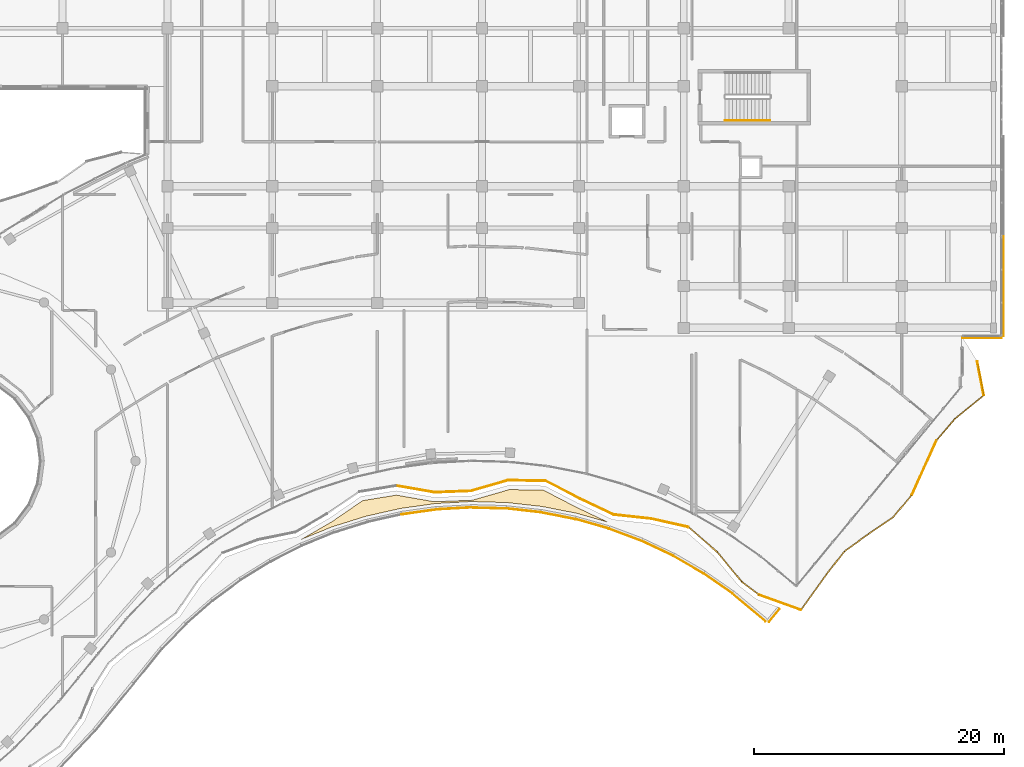
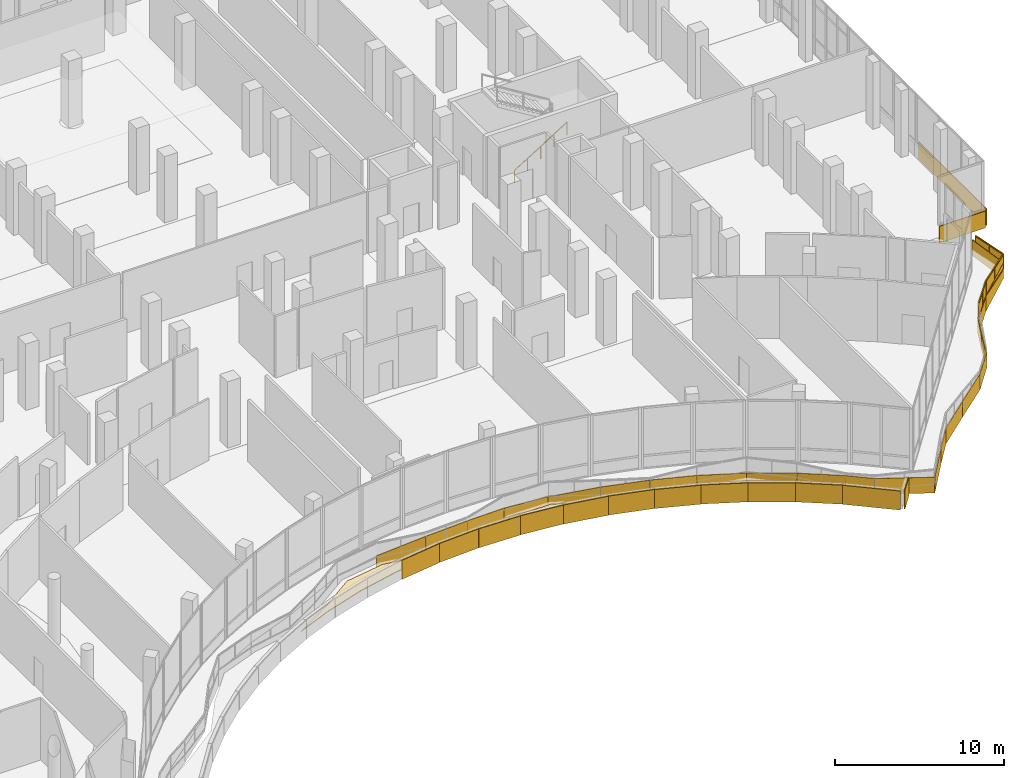
# One storey, part 166 of 168: 37 coverings, 2 railings.
"""IFC4 building model written with IfcOpenShell, lengths in metres."""

from ifc_helpers import new_model, si_unit, direction, frame, origin, origin_2d, place, context, subcontext, project, spatial, polyline, rectangle, circle, outline, extrude, material, layer, layer_set, type_object, element, save


model = new_model("IFC4")

# Units and contexts
model_context = context("Model", 3, precision=1e-05, world=origin(), true_north=direction((0.0, 1.0)))
body_context = subcontext(model_context, "Body", "Model", "MODEL_VIEW")
ifc_project = project(units=[si_unit("LENGTHUNIT", "METRE"), si_unit("AREAUNIT", "SQUARE_METRE"), si_unit("VOLUMEUNIT", "CUBIC_METRE"), si_unit("PLANEANGLEUNIT", "RADIAN"), si_unit("MASSUNIT", "GRAM", prefix="KILO")], contexts=[model_context])

# Site, building, storey
site_placement = place(None, origin())
site = spatial("IfcSite", under=ifc_project, at=site_placement, CompositionType="ELEMENT")
building_placement = place(site_placement, origin())
building = spatial("IfcBuilding", under=site, at=building_placement, Name="Selatvlak General Hospital", CompositionType="ELEMENT")
storey_placement = place(building_placement, frame((0.0, 0.0, 5.39990234375)))
storey = spatial("IfcBuildingStorey", under=building, at=storey_placement, Name="L01", CompositionType="ELEMENT", Elevation=5.39990234375)

# Coverings
ifc_material_1 = material(Name="PVDF aluminium fascia - ochre yellow", Category="aluminium")
ifc_layer_1 = layer(ifc_material_1, 0.070068359375, Name="PVDF aluminium fascia - ochre yellow", Category="aluminium")
ifc_layer_set_1 = layer_set([ifc_layer_1], Name="PVDF aluminium fascia - ochre yellow")
covering_type_1 = type_object("IfcCoveringType", Name="COV-RB-YEL", PredefinedType="CLADDING", material=ifc_layer_set_1)
covering_1_placement = place(storey_placement, frame((133.531982421875, 52.02001953125, -0.98486328125), z_axis=(0.0, 0.0, 1.0), x_axis=(0.985169612888, -0.171583314579, 0.0)))
element("IfcCovering", 1, at=covering_1_placement, inside=storey, type_object=covering_type_1, Name="L01 De Stijl waving fascia streamer 162", PredefinedType="CLADDING", context=body_context, shape_type="SweptSolid", body=[
    extrude(outline(polyline([(0.0, 0.0), (3.106201171875, 0.660888671875), (3.106201171875, 1.80078125), (0.0, 1.139892578125), (0.0, 0.0)])), frame((0.0, 0.03515625, 0.0), z_axis=(0.0, -1.0, 0.0), x_axis=(1.0, 0.0, 0.0)), (0.0, 0.0, 1.0), 0.070068359375),
])
covering_2_placement = place(storey_placement, frame((136.593017578125, 51.487060546875, -0.323974609375), z_axis=(0.0, 0.0, 1.0), x_axis=(0.999287569279, 0.037740613191, 0.0)))
element("IfcCovering", 2, at=covering_2_placement, inside=storey, type_object=covering_type_1, Name="L01 De Stijl waving fascia streamer 163", PredefinedType="CLADDING", context=body_context, shape_type="SweptSolid", body=[
    extrude(outline(polyline([(0.0, 0.0), (2.910888671875, 0.0361328125), (2.910888671875, 1.176025390625), (0.0, 1.139892578125), (0.0, 0.0)])), frame((0.0, 0.03515625, 0.0), z_axis=(0.0, -1.0, 0.0), x_axis=(1.0, 0.0, 0.0)), (0.0, 0.0, 1.0), 0.070068359375),
])
covering_3_placement = place(storey_placement, frame((139.5029296875, 51.596923828125, -0.287841796875), z_axis=(0.0, 0.0, 1.0), x_axis=(0.960959885264, 0.276687728158, 0.0)))
element("IfcCovering", 3, at=covering_3_placement, inside=storey, type_object=covering_type_1, Name="L01 De Stijl waving fascia streamer 164", PredefinedType="CLADDING", context=body_context, shape_type="SweptSolid", body=[
    extrude(outline(polyline([(0.0, 0.0), (3.097900390625, -0.652099609375), (3.097900390625, 0.48779296875), (0.0, 1.139892578125), (0.0, 0.0)])), frame((0.0, 0.03515625, 0.0), z_axis=(0.0, -1.0, 0.0), x_axis=(1.0, 0.0, 0.0)), (0.0, 0.0, 1.0), 0.070068359375),
])
covering_4_placement = place(storey_placement, frame((142.48193359375, 52.4541015625, -0.93994140625), z_axis=(0.0, 0.0, 1.0), x_axis=(0.999851304296, -0.017244399013, 0.0)))
element("IfcCovering", 4, at=covering_4_placement, inside=storey, type_object=covering_type_1, Name="L01 De Stijl waving fascia streamer 165", PredefinedType="CLADDING", context=body_context, shape_type="SweptSolid", body=[
    extrude(outline(polyline([(0.0, 0.0), (3.015625, -0.195068359375), (3.015625, 0.94482421875), (0.0, 1.139892578125), (0.0, 0.0)])), frame((0.0, 0.03515625, 0.0), z_axis=(0.0, -1.0, 0.0), x_axis=(1.0, 0.0, 0.0)), (0.0, 0.0, 1.0), 0.070068359375),
])
covering_5_placement = place(storey_placement, frame((145.498046875, 52.402099609375, -1.135009765625), z_axis=(0.0, 0.0, 1.0), x_axis=(0.888074740359, -0.459699092382, 0.0)))
element("IfcCovering", 5, at=covering_5_placement, inside=storey, type_object=covering_type_1, Name="L01 De Stijl waving fascia streamer 166", PredefinedType="CLADDING", context=body_context, shape_type="SweptSolid", body=[
    extrude(outline(polyline([(0.0, 0.0), (3.10205078125, 0.605224609375), (3.10205078125, 1.7451171875), (0.0, 1.139892578125), (0.0, 0.0)])), frame((0.0, 0.03515625, 0.0), z_axis=(0.0, -1.0, 0.0), x_axis=(1.0, 0.0, 0.0)), (0.0, 0.0, 1.0), 0.070068359375),
])
covering_6_placement = place(storey_placement, frame((148.25390625, 50.97509765625, -0.52978515625), z_axis=(0.0, 0.0, 1.0), x_axis=(0.903238335423, -0.429139265766, 0.0)))
element("IfcCovering", 6, at=covering_6_placement, inside=storey, type_object=covering_type_1, Name="L01 De Stijl waving fascia streamer 167", PredefinedType="CLADDING", context=body_context, shape_type="SweptSolid", body=[
    extrude(outline(polyline([(0.0, 0.0), (2.95947265625, 0.341796875), (2.95947265625, 1.481689453125), (0.0, 1.139892578125), (0.0, 0.0)])), frame((0.0, 0.03515625, 0.0), z_axis=(0.0, -1.0, 0.0), x_axis=(1.0, 0.0, 0.0)), (0.0, 0.0, 1.0), 0.070068359375),
])
covering_7_placement = place(storey_placement, frame((150.927978515625, 49.705078125, -0.18798828125), z_axis=(0.0, 0.0, 1.0), x_axis=(0.99402565812, -0.109146649052, 0.0)))
element("IfcCovering", 7, at=covering_7_placement, inside=storey, type_object=covering_type_1, Name="L01 De Stijl waving fascia streamer 168", PredefinedType="CLADDING", context=body_context, shape_type="SweptSolid", body=[
    extrude(outline(polyline([(0.0, 0.0), (3.024169921875, -0.52099609375), (3.024169921875, 0.618896484375), (0.0, 1.139892578125), (0.0, 0.0)])), frame((0.0, 0.03515625, 0.0), z_axis=(0.0, -1.0, 0.0), x_axis=(1.0, 0.0, 0.0)), (0.0, 0.0, 1.0), 0.070068359375),
])
covering_8_placement = place(storey_placement, frame((153.93505859375, 49.375, -0.708984375), z_axis=(0.0, 0.0, 1.0), x_axis=(0.975867696387, -0.218362632218, 0.0)))
element("IfcCovering", 8, at=covering_8_placement, inside=storey, type_object=covering_type_1, Name="L01 De Stijl waving fascia streamer 169", PredefinedType="CLADDING", context=body_context, shape_type="SweptSolid", body=[
    extrude(outline(polyline([(0.0, 0.0), (3.06787109375, -0.469970703125), (3.06787109375, 0.669921875), (0.0, 1.139892578125), (0.0, 0.0)])), frame((0.0, 0.03515625, 0.0), z_axis=(0.0, -1.0, 0.0), x_axis=(1.0, 0.0, 0.0)), (0.0, 0.0, 1.0), 0.070068359375),
])
covering_9_placement = place(storey_placement, frame((156.930908203125, 48.7041015625, -1.178955078125), z_axis=(0.0, 0.0, 1.0), x_axis=(0.752888892524, -0.658147639602, 0.0)))
element("IfcCovering", 9, at=covering_9_placement, inside=storey, type_object=covering_type_1, Name="L01 De Stijl waving fascia streamer 170", PredefinedType="CLADDING", context=body_context, shape_type="SweptSolid", body=[
    extrude(outline(polyline([(0.0, 0.0), (3.051025390625, 0.406982421875), (3.051025390625, 1.546875), (0.0, 1.139892578125), (0.0, 0.0)])), frame((0.0, 0.03515625, 0.0), z_axis=(0.0, -1.0, 0.0), x_axis=(1.0, 0.0, 0.0)), (0.0, 0.0, 1.0), 0.070068359375),
])
covering_10_placement = place(storey_placement, frame((159.22900390625, 46.695068359375, -0.77197265625), z_axis=(0.0, 0.0, 1.0), x_axis=(0.638218614785, -0.769855181019, 0.0)))
element("IfcCovering", 10, at=covering_10_placement, inside=storey, type_object=covering_type_1, Name="L01 De Stijl waving fascia streamer 171", PredefinedType="CLADDING", context=body_context, shape_type="SweptSolid", body=[
    extrude(outline(polyline([(0.0, 0.0), (3.0693359375, 0.568115234375), (3.0693359375, 1.7080078125), (0.0, 1.139892578125), (0.0, 0.0)])), frame((0.0, 0.03515625, 0.0), z_axis=(0.0, -1.0, 0.0), x_axis=(1.0, 0.0, 0.0)), (0.0, 0.0, 1.0), 0.070068359375),
])
covering_11_placement = place(storey_placement, frame((161.18798828125, 44.33203125, -0.203857421875), z_axis=(0.0, 0.0, 1.0), x_axis=(0.794001298464, -0.607916061671, 0.0)))
element("IfcCovering", 11, at=covering_11_placement, inside=storey, type_object=covering_type_1, Name="L01 De Stijl waving fascia streamer 172", PredefinedType="CLADDING", context=body_context, shape_type="SweptSolid", body=[
    extrude(outline(polyline([(0.0, 0.0), (1.73046875, -0.052001953125), (1.73046875, 1.087890625), (0.0, 1.139892578125), (0.0, 0.0)])), frame((0.0, 0.03515625, 0.0), z_axis=(0.0, -1.0, 0.0), x_axis=(1.0, 0.0, 0.0)), (0.0, 0.0, 1.0), 0.070068359375),
])
covering_12_placement = place(storey_placement, frame((162.555908203125, 43.281005859375, -0.255859375), z_axis=(0.0, 0.0, 1.0), x_axis=(0.940991834748, -0.338429264304, 0.0)))
element("IfcCovering", 12, at=covering_12_placement, inside=storey, type_object=covering_type_1, Name="L01 De Stijl waving fascia streamer 173", PredefinedType="CLADDING", context=body_context, shape_type="SweptSolid", body=[
    extrude(outline(polyline([(0.0, 0.0), (3.604736328125, -0.35302734375), (3.604736328125, 0.786865234375), (0.0, 1.139892578125), (0.0, 0.0)])), frame((0.0, 0.03515625, 0.0), z_axis=(0.0, -1.0, 0.0), x_axis=(1.0, 0.0, 0.0)), (0.0, 0.0, 1.0), 0.070068359375),
])
covering_13_placement = place(storey_placement, frame((165.93798828125, 42.06005859375, -0.60888671875), z_axis=(0.0, 0.0, 1.0), x_axis=(0.583431669463, 0.812162229525, 0.0)))
element("IfcCovering", 13, at=covering_13_placement, inside=storey, type_object=covering_type_1, Name="L01 De Stijl waving fascia streamer 174", PredefinedType="CLADDING", context=body_context, shape_type="SweptSolid", body=[
    extrude(outline(polyline([(0.0, 0.0), (3.544677734375, -0.471923828125), (3.544677734375, 0.66796875), (0.0, 1.139892578125), (0.0, 0.0)])), frame((0.0, 0.03515625, 0.0), z_axis=(0.0, -1.0, 0.0), x_axis=(1.0, 0.0, 0.0)), (0.0, 0.0, 1.0), 0.070068359375),
])
covering_14_placement = place(storey_placement, frame((168.0009765625, 44.93701171875, -1.080810546875), z_axis=(0.0, 0.0, 1.0), x_axis=(0.612437791081, 0.790518786656, 0.0)))
element("IfcCovering", 14, at=covering_14_placement, inside=storey, type_object=covering_type_1, Name="L01 De Stijl waving fascia streamer 175", PredefinedType="CLADDING", context=body_context, shape_type="SweptSolid", body=[
    extrude(outline(polyline([(0.0, 0.0), (2.307373046875, -0.052978515625), (2.307373046875, 1.0869140625), (0.0, 1.139892578125), (0.0, 0.0)])), frame((0.0, 0.03515625, 0.0), z_axis=(0.0, -1.0, 0.0), x_axis=(1.0, 0.0, 0.0)), (0.0, 0.0, 1.0), 0.070068359375),
])
covering_15_placement = place(storey_placement, frame((169.4140625, 46.760986328125, -1.1337890625), z_axis=(0.0, 0.0, 1.0), x_axis=(0.812951195402, 0.582331824559, 0.0)))
element("IfcCovering", 15, at=covering_15_placement, inside=storey, type_object=covering_type_1, Name="L01 De Stijl waving fascia streamer 176", PredefinedType="CLADDING", context=body_context, shape_type="SweptSolid", body=[
    extrude(outline(polyline([(0.0, 0.0), (2.385009765625, 0.421875), (2.385009765625, 1.561767578125), (0.0, 1.139892578125), (0.0, 0.0)])), frame((0.0, 0.03515625, 0.0), z_axis=(0.0, -1.0, 0.0), x_axis=(1.0, 0.0, 0.0)), (0.0, 0.0, 1.0), 0.070068359375),
])
covering_16_placement = place(storey_placement, frame((171.35302734375, 48.14990234375, -0.7119140625), z_axis=(0.0, 0.0, 1.0), x_axis=(0.823955724367, 0.566654184034, 0.0)))
element("IfcCovering", 16, at=covering_16_placement, inside=storey, type_object=covering_type_1, Name="L01 De Stijl waving fascia streamer 177", PredefinedType="CLADDING", context=body_context, shape_type="SweptSolid", body=[
    extrude(outline(polyline([(0.0, 0.0), (2.396728515625, 0.455078125), (2.396728515625, 1.594970703125), (0.0, 1.139892578125), (0.0, 0.0)])), frame((0.0, 0.03515625, 0.0), z_axis=(0.0, -1.0, 0.0), x_axis=(1.0, 0.0, 0.0)), (0.0, 0.0, 1.0), 0.070068359375),
])
covering_17_placement = place(storey_placement, frame((173.327880859375, 49.508056640625, -0.2568359375), z_axis=(0.0, 0.0, 1.0), x_axis=(0.643852134308, 0.765149938997, 0.0)))
element("IfcCovering", 17, at=covering_17_placement, inside=storey, type_object=covering_type_1, Name="L01 De Stijl waving fascia streamer 178", PredefinedType="CLADDING", context=body_context, shape_type="SweptSolid", body=[
    extrude(outline(polyline([(0.0, 0.0), (2.306640625, 0.012939453125), (2.306640625, 1.15283203125), (0.0, 1.139892578125), (0.0, 0.0)])), frame((0.0, 0.03515625, 0.0), z_axis=(0.0, -1.0, 0.0), x_axis=(1.0, 0.0, 0.0)), (0.0, 0.0, 1.0), 0.070068359375),
])
covering_18_placement = place(storey_placement, frame((174.81298828125, 51.27294921875, -0.243896484375), z_axis=(0.0, 0.0, 1.0), x_axis=(0.409184815303, 0.912451525795, 0.0)))
element("IfcCovering", 18, at=covering_18_placement, inside=storey, type_object=covering_type_1, Name="L01 De Stijl waving fascia streamer 179", PredefinedType="CLADDING", context=body_context, shape_type="SweptSolid", body=[
    extrude(outline(polyline([(0.0, 0.0), (2.392578125, -0.444091796875), (2.392578125, 0.69580078125), (0.0, 1.139892578125), (0.0, 0.0)])), frame((0.0, 0.03515625, 0.0), z_axis=(0.0, -1.0, 0.0), x_axis=(1.0, 0.0, 0.0)), (0.0, 0.0, 1.0), 0.070068359375),
])
covering_19_placement = place(storey_placement, frame((175.7919921875, 53.4560546875, -0.68798828125), z_axis=(0.0, 0.0, 1.0), x_axis=(0.41327968577, 0.910604140848, 0.0)))
element("IfcCovering", 19, at=covering_19_placement, inside=storey, type_object=covering_type_1, Name="L01 De Stijl waving fascia streamer 180", PredefinedType="CLADDING", context=body_context, shape_type="SweptSolid", body=[
    extrude(outline(polyline([(0.0, 0.0), (2.390625, -0.434814453125), (2.390625, 0.705078125), (0.0, 1.139892578125), (0.0, 0.0)])), frame((0.0, 0.03515625, 0.0), z_axis=(0.0, -1.0, 0.0), x_axis=(1.0, 0.0, 0.0)), (0.0, 0.0, 1.0), 0.070068359375),
])
covering_20_placement = place(storey_placement, frame((176.780029296875, 55.633056640625, -1.122802734375), z_axis=(0.0, 0.0, 1.0), x_axis=(0.651279461868, 0.758837968574, 0.0)))
element("IfcCovering", 20, at=covering_20_placement, inside=storey, type_object=covering_type_1, Name="L01 De Stijl waving fascia streamer 181", PredefinedType="CLADDING", context=body_context, shape_type="SweptSolid", body=[
    extrude(outline(polyline([(0.0, 0.0), (2.30615234375, 0.02783203125), (2.30615234375, 1.167724609375), (0.0, 1.139892578125), (0.0, 0.0)])), frame((0.0, 0.03515625, 0.0), z_axis=(0.0, -1.0, 0.0), x_axis=(1.0, 0.0, 0.0)), (0.0, 0.0, 1.0), 0.070068359375),
])
covering_21_placement = place(storey_placement, frame((178.281005859375, 57.3798828125, -1.094970703125), z_axis=(0.0, 0.0, 1.0), x_axis=(0.772933716457, 0.634486776823, 0.0)))
element("IfcCovering", 21, at=covering_21_placement, inside=storey, type_object=covering_type_1, Name="L01 De Stijl waving fascia streamer 182", PredefinedType="CLADDING", context=body_context, shape_type="SweptSolid", body=[
    extrude(outline(polyline([(0.0, 0.0), (2.9677734375, 0.462158203125), (2.9677734375, 1.60205078125), (0.0, 1.139892578125), (0.0, 0.0)])), frame((0.0, 0.03515625, 0.0), z_axis=(0.0, -1.0, 0.0), x_axis=(1.0, 0.0, 0.0)), (0.0, 0.0, 1.0), 0.070068359375),
])
covering_22_placement = place(storey_placement, frame((180.573974609375, 59.259033203125, -0.6328125), z_axis=(0.0, 0.0, 1.0), x_axis=(-0.191400572034, 0.981512007581, 0.0)))
element("IfcCovering", 22, at=covering_22_placement, inside=storey, type_object=covering_type_1, Name="L01 De Stijl waving fascia streamer 183", PredefinedType="CLADDING", context=body_context, shape_type="SweptSolid", body=[
    extrude(outline(polyline([(0.0, 0.0), (2.769287109375, 0.171875), (2.769287109375, 1.311767578125), (0.0, 1.139892578125), (0.0, 0.0)])), frame((0.0, 0.03515625, 0.0), z_axis=(0.0, -1.0, 0.0), x_axis=(1.0, 0.0, 0.0)), (0.0, 0.0, 1.0), 0.070068359375),
])
ifc_material_2 = material(Name="Insulated TPO roofing membrane")
ifc_layer_2 = layer(ifc_material_2, 0.06005859375, Name="Insulated TPO roofing membrane")
ifc_layer_set_2 = layer_set([ifc_layer_2], Name="Insulated TPO roofing membrane")
covering_type_2 = type_object("IfcCoveringType", Name="COV-RF1", PredefinedType="ROOFING", material=ifc_layer_set_2)
covering_23_placement = place(storey_placement, frame((0.0, 0.0, -0.079833984375)))
element("IfcCovering", 23, at=covering_23_placement, inside=storey, type_object=covering_type_2, Name="L01 insulated TPO roof membrane 03", PredefinedType="ROOFING", context=body_context, shape_type="SweptSolid", body=[
    extrude(outline(polyline([(125.909912109375, 47.7099609375), (128.366943359375, 49.133056640625), (128.406005859375, 49.156982421875), (130.842041015625, 50.826904296875), (133.530029296875, 51.264892578125), (136.468994140625, 50.7529296875), (136.52294921875, 50.74609375), (136.55908203125, 50.742919921875), (136.59912109375, 50.741943359375), (136.62109375, 50.741943359375), (139.530029296875, 50.85205078125), (139.554931640625, 50.85400390625), (139.60107421875, 50.85888671875), (139.638916015625, 50.864990234375), (139.68408203125, 50.875), (139.705078125, 50.881103515625), (142.575927734375, 51.70703125), (145.31103515625, 51.659912109375), (147.9140625, 50.31298828125), (150.455078125, 49.10498046875), (147.989013671875, 49.805908203125), (147.9599609375, 49.81201171875), (145.197998046875, 50.35205078125), (145.169921875, 50.35693359375), (142.3720703125, 50.6669921875), (142.343017578125, 50.6689453125), (139.530029296875, 50.7470703125), (139.5009765625, 50.74609375), (136.695068359375, 50.590087890625), (136.666015625, 50.587890625), (133.8779296875, 50.197998046875), (133.84912109375, 50.19189453125), (131.10302734375, 49.573974609375), (131.074951171875, 49.56689453125), (128.39404296875, 48.72412109375), (128.366943359375, 48.714111328125), (125.909912109375, 47.7099609375)])), origin(), (0.0, 0.0, 1.0), 0.059814453125),
])
ifc_material_3 = material(Name="White Bauhaus fair-faced cladding panel")
ifc_layer_3 = layer(ifc_material_3, 0.054931640625, Name="White Bauhaus fair-faced cladding panel")
ifc_layer_set_3 = layer_set([ifc_layer_3], Name="White Bauhaus fair-faced cladding panel")
covering_type_3 = type_object("IfcCoveringType", Name="COV-WHT1", PredefinedType="CLADDING", material=ifc_layer_set_3)
covering_24_placement = place(storey_placement, frame((182.1650390625, 68.0009765625, -0.27978515625), z_axis=(0.0, 0.0, 1.0), x_axis=(0.0, -1.0, 0.0)))
element("IfcCovering", 24, at=covering_24_placement, inside=storey, type_object=covering_type_3, Name="L01 Bauhaus horizontal white spandrel band 0076", PredefinedType="CLADDING", context=body_context, shape_type="SweptSolid", body=[
    extrude(rectangle(XDim=8.0, YDim=0.054931640625, at=origin_2d()), origin(), (0.0, 0.0, 1.0), 1.219970703125),
])
covering_25_placement = place(storey_placement, frame((180.429931640625, 63.8359375, -0.27978515625), z_axis=(0.0, 0.0, 1.0), x_axis=(-0.999999950652, -0.00031415926, 0.0)))
element("IfcCovering", 25, at=covering_25_placement, inside=storey, type_object=covering_type_3, Name="L01 Bauhaus horizontal white spandrel band 0077", PredefinedType="CLADDING", context=body_context, shape_type="SweptSolid", body=[
    extrude(rectangle(XDim=3.139892578125, YDim=0.054931640625, at=origin_2d()), origin(), (0.0, 0.0, 1.0), 1.219970703125),
])
covering_26_placement = place(storey_placement, frame((159.291015625, 44.18798828125, -0.300048828125), z_axis=(0.0, 0.0, 1.0), x_axis=(-0.8207804872, 0.57124372367, 0.0)))
element("IfcCovering", 26, at=covering_26_placement, inside=storey, type_object=covering_type_3, Name="L01 Roof parapet white Bauhaus coping 0617", PredefinedType="CLADDING", context=body_context, shape_type="SweptSolid", body=[
    extrude(rectangle(XDim=2.81298828125, YDim=0.054931640625, at=origin_2d()), origin(), (0.0, 0.0, 1.0), 1.3701171875),
])
covering_27_placement = place(storey_placement, frame((156.923095703125, 45.68408203125, -0.300048828125), z_axis=(0.0, 0.0, 1.0), x_axis=(-0.864923753147, 0.501903278771, 0.0)))
element("IfcCovering", 27, at=covering_27_placement, inside=storey, type_object=covering_type_3, Name="L01 Roof parapet white Bauhaus coping 0618", PredefinedType="CLADDING", context=body_context, shape_type="SweptSolid", body=[
    extrude(rectangle(XDim=2.81494140625, YDim=0.054931640625, at=origin_2d()), origin(), (0.0, 0.0, 1.0), 1.3701171875),
])
covering_28_placement = place(storey_placement, frame((154.447998046875, 46.9970703125, -0.300048828125), z_axis=(0.0, 0.0, 1.0), x_axis=(-0.903679372891, 0.428209751187, 0.0)))
element("IfcCovering", 28, at=covering_28_placement, inside=storey, type_object=covering_type_3, Name="L01 Roof parapet white Bauhaus coping 0619", PredefinedType="CLADDING", context=body_context, shape_type="SweptSolid", body=[
    extrude(rectangle(XDim=2.81396484375, YDim=0.054931640625, at=origin_2d()), origin(), (0.0, 0.0, 1.0), 1.3701171875),
])
for number, where, z_axis, x_axis, name in (
    (29, (151.866943359375, 48.080078125, -0.300048828125), (0.0, 0.0, 1.0), (-0.936096375378, 0.35174362255, 0.0), "L01 Roof parapet white Bauhaus coping 0620"),
    (30, (149.2109375, 48.965087890625, -0.300048828125), (0.0, 0.0, 1.0), (-0.961980017834, 0.273119836863, 0.0), "L01 Roof parapet white Bauhaus coping 0621"),
):
    element("IfcCovering", number, at=place(storey_placement, frame(where, z_axis=z_axis, x_axis=x_axis)), inside=storey, type_object=covering_type_3, Name=name, PredefinedType="CLADDING", context=body_context, shape_type="SweptSolid", body=[
        extrude(rectangle(XDim=2.81201171875, YDim=0.054931640625, at=origin_2d()), origin(), (0.0, 0.0, 1.0), 1.3701171875),
    ])
covering_29_placement = place(storey_placement, frame((146.486083984375, 49.60693359375, -0.300048828125), z_axis=(0.0, 0.0, 1.0), x_axis=(-0.981420133567, 0.191871106291, 0.0)))
element("IfcCovering", 31, at=covering_29_placement, inside=storey, type_object=covering_type_3, Name="L01 Roof parapet white Bauhaus coping 0622", PredefinedType="CLADDING", context=body_context, shape_type="SweptSolid", body=[
    extrude(rectangle(XDim=2.81396484375, YDim=0.054931640625, at=origin_2d()), origin(), (0.0, 0.0, 1.0), 1.3701171875),
])
covering_30_placement = place(storey_placement, frame((143.718017578125, 50.0400390625, -0.300048828125), z_axis=(0.0, 0.0, 1.0), x_axis=(-0.993918747233, 0.110115956601, 0.0)))
element("IfcCovering", 32, at=covering_30_placement, inside=storey, type_object=covering_type_3, Name="L01 Roof parapet white Bauhaus coping 0623", PredefinedType="CLADDING", context=body_context, shape_type="SweptSolid", body=[
    extrude(rectangle(XDim=2.81494140625, YDim=0.054931640625, at=origin_2d()), origin(), (0.0, 0.0, 1.0), 1.3701171875),
])
covering_31_placement = place(storey_placement, frame((140.923095703125, 50.222900390625, -0.300048828125), z_axis=(0.0, 0.0, 1.0), x_axis=(-0.999615941011, 0.02771228026, 0.0)))
element("IfcCovering", 33, at=covering_31_placement, inside=storey, type_object=covering_type_3, Name="L01 Roof parapet white Bauhaus coping 0624", PredefinedType="CLADDING", context=body_context, shape_type="SweptSolid", body=[
    extrude(rectangle(XDim=2.81396484375, YDim=0.054931640625, at=origin_2d()), origin(), (0.0, 0.0, 1.0), 1.3701171875),
])
covering_32_placement = place(storey_placement, frame((138.1240234375, 50.194091796875, -0.300048828125), z_axis=(0.0, 0.0, 1.0), x_axis=(-0.998458251754, -0.055507832827, 0.0)))
element("IfcCovering", 34, at=covering_32_placement, inside=storey, type_object=covering_type_3, Name="L01 Roof parapet white Bauhaus coping 0625", PredefinedType="CLADDING", context=body_context, shape_type="SweptSolid", body=[
    extrude(rectangle(XDim=2.81005859375, YDim=0.054931640625, at=origin_2d()), origin(), (0.0, 0.0, 1.0), 1.3701171875),
])
covering_33_placement = place(storey_placement, frame((135.339111328125, 49.912109375, -0.300048828125), z_axis=(0.0, 0.0, 1.0), x_axis=(-0.990357736321, -0.138533584769, 0.0)))
element("IfcCovering", 35, at=covering_33_placement, inside=storey, type_object=covering_type_3, Name="L01 Roof parapet white Bauhaus coping 0626", PredefinedType="CLADDING", context=body_context, shape_type="SweptSolid", body=[
    extrude(rectangle(XDim=2.81494140625, YDim=0.054931640625, at=origin_2d()), origin(), (0.0, 0.0, 1.0), 1.3701171875),
])
covering_34_placement = place(storey_placement, frame((163.791015625, 41.626953125, -0.300048828125), z_axis=(0.0, 0.0, 1.0), x_axis=(-0.637840784213, -0.770168250446, 0.0)))
element("IfcCovering", 36, at=covering_34_placement, inside=storey, type_object=covering_type_3, Name="L01 Roof parapet white Bauhaus coping 0639", PredefinedType="CLADDING", context=body_context, shape_type="SweptSolid", body=[
    extrude(rectangle(XDim=1.344970703125, YDim=0.054931640625, at=origin_2d()), origin(), (0.0, 0.0, 1.0), 1.3701171875),
])
covering_35_placement = place(storey_placement, frame((161.762939453125, 42.26904296875, -0.300048828125), z_axis=(0.0, 0.0, 1.0), x_axis=(-0.767187542164, 0.641422852063, 0.0)))
element("IfcCovering", 37, at=covering_35_placement, inside=storey, type_object=covering_type_3, Name="L01 Roof parapet white Bauhaus coping 0640", PredefinedType="CLADDING", context=body_context, shape_type="SweptSolid", body=[
    extrude(rectangle(XDim=3.47509765625, YDim=0.054931640625, at=origin_2d()), origin(), (0.0, 0.0, 1.0), 1.3701171875),
])

# Railings
ifc_material_4 = material(Name="Stainless steel 316 safety balustrade", Category="steel")
railing_type_1 = type_object("IfcRailingType", Name="RAIL-BAL1", PredefinedType="BALUSTRADE", material=ifc_material_4)
railing_1_placement = place(storey_placement, frame((180.10595703125, 61.72802734375, 0.0)))
element("IfcRailing", 38, at=railing_1_placement, inside=storey, type_object=railing_type_1, Name="L01 continuous curved balcony balustrade 0009", PredefinedType="BALUSTRADE", context=body_context, shape_type="SweptSolid", body=[
    extrude(rectangle(XDim=0.068115234375, YDim=0.068115234375, at=origin_2d()), frame((0.00048828125, -0.0029296875, 1.0859375), z_axis=(0.191360030363, -0.981519912574, 0.0), x_axis=(0.981519912574, 0.191360030363, 0.0)), (0.0, 0.0, 1.0), 2.5126953125),
    extrude(rectangle(XDim=0.068115234375, YDim=0.068115234375, at=origin_2d()), frame((0.00048828125, -0.0029296875, 0.049072265625), z_axis=(0.191360030363, -0.981519912574, 0.0), x_axis=(0.981519912574, 0.191360030363, 0.0)), (0.0, 0.0, 1.0), 2.5126953125),
    extrude(outline(polyline([(0.0, 0.0), (2.50634765625, 0.0), (2.50634765625, 0.94189453125), (0.0, 0.94189453125), (0.0, 0.0)])), frame((0.018798828125, -0.00244140625, 0.0849609375), z_axis=(-0.981519912574, -0.191360030363, 0.0), x_axis=(0.191360030363, -0.981519912574, 0.0)), (0.0, 0.0, 1.0), 0.031982421875),
    extrude(rectangle(XDim=0.068115234375, YDim=0.068115234375, at=origin_2d()), frame((0.479736328125, -2.473876953125, 1.0859375), z_axis=(-0.772933716457, -0.634486776823, 0.0), x_axis=(0.634486776823, -0.772933716457, 0.0)), (0.0, 0.0, 1.0), 2.9619140625),
    extrude(rectangle(XDim=0.068115234375, YDim=0.068115234375, at=origin_2d()), frame((0.479736328125, -2.473876953125, 0.049072265625), z_axis=(-0.772933716457, -0.634486776823, 0.0), x_axis=(0.634486776823, -0.772933716457, 0.0)), (0.0, 0.0, 1.0), 2.9619140625),
    extrude(outline(polyline([(0.0, 0.0), (2.955810546875, 0.0), (2.955810546875, 0.94189453125), (0.0, 0.94189453125), (0.0, 0.0)])), frame((0.48876953125, -2.48974609375, 0.0849609375), z_axis=(-0.634486776823, 0.772933716457, 0.0), x_axis=(-0.772933716457, -0.634486776823, 0.0)), (0.0, 0.0, 1.0), 0.031982421875),
    extrude(rectangle(XDim=0.068115234375, YDim=0.068115234375, at=origin_2d()), frame((-1.81396484375, -4.357177734375, 1.0859375), z_axis=(-0.651279461868, -0.758837968574, 0.0), x_axis=(0.758837968574, -0.651279461868, 0.0)), (0.0, 0.0, 1.0), 2.30029296875),
    extrude(rectangle(XDim=0.068115234375, YDim=0.068115234375, at=origin_2d()), frame((-1.81396484375, -4.357177734375, 0.049072265625), z_axis=(-0.651279461868, -0.758837968574, 0.0), x_axis=(0.758837968574, -0.651279461868, 0.0)), (0.0, 0.0, 1.0), 2.30029296875),
    extrude(outline(polyline([(0.0, 0.0), (2.294189453125, 0.0), (2.294189453125, 0.94189453125), (0.0, 0.94189453125), (0.0, 0.0)])), frame((-1.80224609375, -4.371337890625, 0.0849609375), z_axis=(-0.758837968574, 0.651279461868, 0.0), x_axis=(-0.651279461868, -0.758837968574, 0.0)), (0.0, 0.0, 1.0), 0.031982421875),
    extrude(rectangle(XDim=0.055908203125, YDim=0.055908203125, at=origin_2d()), origin(), (0.0, 0.0, 1.0), 1.049072265625),
    extrude(rectangle(XDim=0.055908203125, YDim=0.055908203125, at=origin_2d()), frame((0.240966796875, -1.23583984375, 0.0)), (0.0, 0.0, 1.0), 1.049072265625),
    extrude(rectangle(XDim=0.055908203125, YDim=0.055908203125, at=origin_2d()), frame((0.48193359375, -2.471923828125, 0.0)), (0.0, 0.0, 1.0), 1.049072265625),
    extrude(rectangle(XDim=0.055908203125, YDim=0.055908203125, at=origin_2d()), frame((-0.6650390625, -3.41357421875, 0.0)), (0.0, 0.0, 1.0), 1.049072265625),
    extrude(rectangle(XDim=0.055908203125, YDim=0.055908203125, at=origin_2d()), frame((-1.81201171875, -4.35498046875, 0.0)), (0.0, 0.0, 1.0), 1.049072265625),
    extrude(rectangle(XDim=0.055908203125, YDim=0.055908203125, at=origin_2d()), frame((-2.56298828125, -5.22998046875, 0.0)), (0.0, 0.0, 1.0), 1.049072265625),
    extrude(rectangle(XDim=0.055908203125, YDim=0.055908203125, at=origin_2d()), frame((-3.31396484375, -6.10498046875, 0.0)), (0.0, 0.0, 1.0), 1.049072265625),
])
ifc_material_5 = material(Name="Stainless steel 316 handrail", Category="steel")
railing_type_2 = type_object("IfcRailingType", Name="RAIL-STH", PredefinedType="HANDRAIL", material=ifc_material_5)
railing_2_placement = place(storey_placement, frame((159.860107421875, 81.25, 0.184814453125)))
element("IfcRailing", 39, at=railing_2_placement, inside=storey, type_object=railing_type_2, Name="L01 ST-06 stair handrail 1", PredefinedType="HANDRAIL", context=body_context, shape_type="SweptSolid", body=[
    extrude(circle(Radius=0.02392578125, at=origin_2d()), frame((0.00244140625, 0.0, 0.87744140625), z_axis=(0.851654350407, 0.0, 0.524103870844), x_axis=(0.0, 1.0, 0.0)), (0.0, 0.0, 1.0), 4.220947265625),
    extrude(circle(Radius=0.02099609375, at=origin_2d()), origin(), (0.0, 0.0, 1.0), 0.848876953125),
    extrude(circle(Radius=0.02099609375, at=origin_2d()), frame((0.89990234375, 0.0, 0.5537109375)), (0.0, 0.0, 1.0), 0.848876953125),
    extrude(circle(Radius=0.02099609375, at=origin_2d()), frame((1.7998046875, 0.0, 1.107666015625)), (0.0, 0.0, 1.0), 0.848876953125),
    extrude(circle(Radius=0.02099609375, at=origin_2d()), frame((2.699951171875, 0.0, 1.66162109375)), (0.0, 0.0, 1.0), 0.848876953125),
    extrude(circle(Radius=0.02099609375, at=origin_2d()), frame((3.599853515625, 0.0, 2.21533203125)), (0.0, 0.0, 1.0), 0.848876953125),
])

save(model, "model.ifc")
